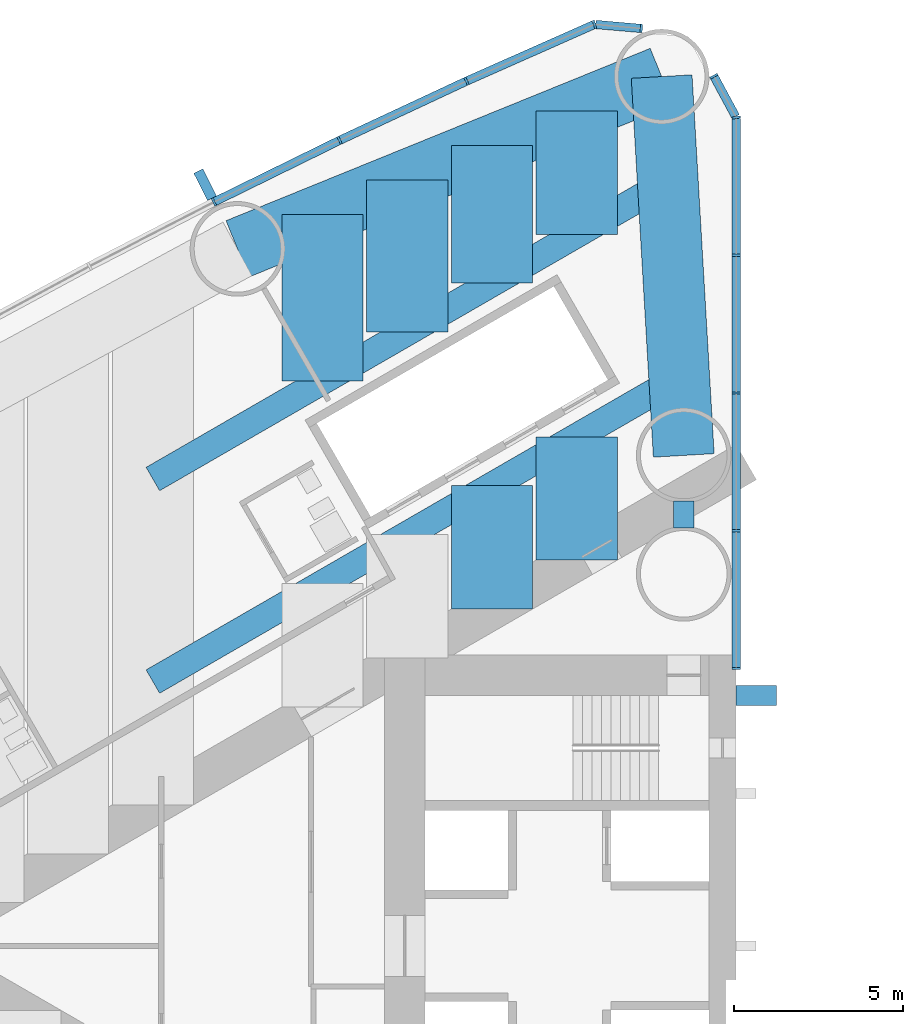
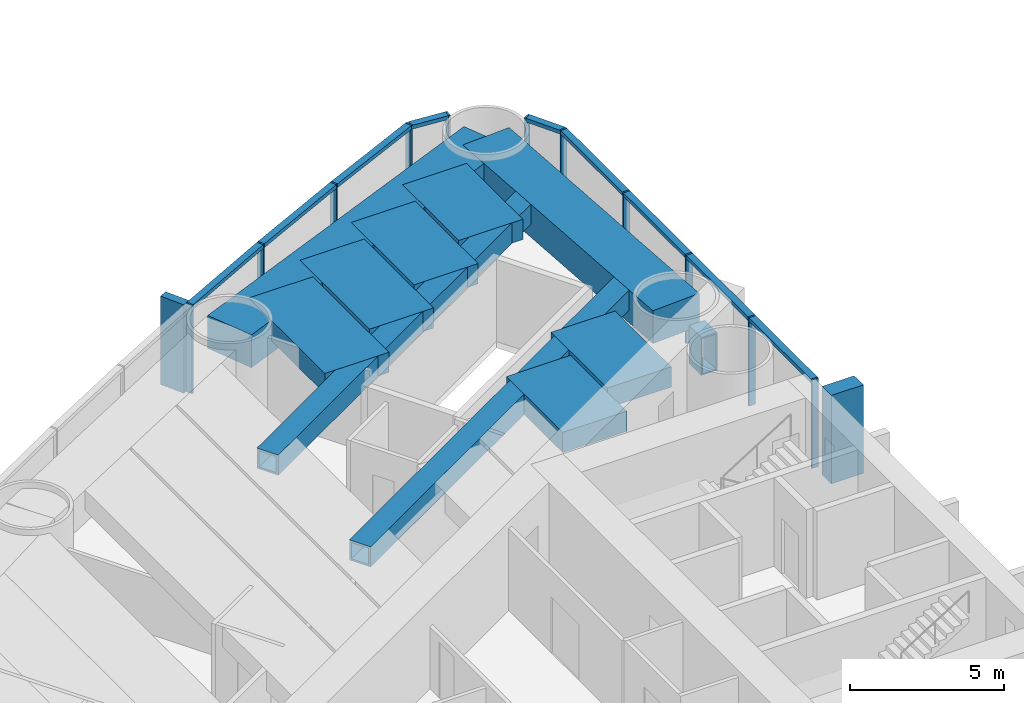
# One storey, part 5 of 19: 22 members, 11 beams, 2 elements without a shape of their own.
"""IFC4 building model written with IfcOpenShell, lengths in metres."""

from ifc_helpers import new_model, si_unit, direction, frame, origin, origin_2d, place, context, subcontext, project, spatial, rectangle, hollow_rectangle, extrude, material, material_profile, profile_set, type_object, element, aggregate, save


model = new_model("IFC4")

# Units and contexts
model_context = context("Model", 3, precision=1e-05, world=origin(), true_north=direction((0.0, 1.0)))
body_context = subcontext(model_context, "Body", "Model", "MODEL_VIEW")
ifc_project = project(units=[si_unit("LENGTHUNIT", "METRE"), si_unit("AREAUNIT", "SQUARE_METRE"), si_unit("VOLUMEUNIT", "CUBIC_METRE"), si_unit("PLANEANGLEUNIT", "RADIAN"), si_unit("MASSUNIT", "GRAM", prefix="KILO")], contexts=[model_context])

# Site, building, storey
site_placement = place(None, origin())
site = spatial("IfcSite", under=ifc_project, at=site_placement, CompositionType="ELEMENT")
building_placement = place(site_placement, origin())
building = spatial("IfcBuilding", under=site, at=building_placement, Name="Lancet Gate Hotel", CompositionType="ELEMENT")
storey_placement = place(building_placement, frame((0.0, 0.0, 63.5)))
storey = spatial("IfcBuildingStorey", under=building, at=storey_placement, Name="L16", CompositionType="ELEMENT", Elevation=63.5)

# Curtain wall, members
ifc_material_1 = material(Name="Aluminium curtain wall", Category="aluminium")
curtain_wall_type = type_object("IfcCurtainWallType", Name="Tower unitised curtain wall", PredefinedType="USERDEFINED", material=ifc_material_1)
curtain_wall_1_placement = place(storey_placement, origin())
curtain_wall_1 = element("IfcCurtainWall", 1, at=curtain_wall_1_placement, inside=storey, type_object=curtain_wall_type, Name="T1 L16 curtain wall 1", ObjectType="UNITISED CURTAIN WALL", PredefinedType="USERDEFINED")
ifc_material_2 = material(Name="Aluminium mullion", Category="aluminium")
ifc_material_profile_1 = material_profile(ifc_material_2, rectangle(XDim=0.06494140625, YDim=0.25, at=origin_2d()), Name="MULLION 65x250")
ifc_profile_set_1 = profile_set([ifc_material_profile_1], Name="Aluminium mullion")
member_type_1 = type_object("IfcMemberType", Name="Aluminium mullion 65x250", PredefinedType="MULLION", material=ifc_profile_set_1)
member_1_placement = place(storey_placement, frame((-27.5, 8.199951171875, 0.0), z_axis=(0.0, 0.0, 1.0), x_axis=(0.0, 1.0, 0.0)))
member_1 = element("IfcMember", 2, at=member_1_placement, type_object=member_type_1, Name="T1 L16 curtain wall 1 mullion 1", PredefinedType="MULLION", context=body_context, shape_type="SweptSolid", body=[
    extrude(rectangle(XDim=0.06494140625, YDim=0.25, at=origin_2d()), origin(), (0.0, 0.0, 1.0), 3.5),
])
member_2_placement = place(storey_placement, frame((-27.5, 12.272705078125, 0.0), z_axis=(0.0, 0.0, 1.0), x_axis=(0.0, 1.0, 0.0)))
member_2 = element("IfcMember", 3, at=member_2_placement, type_object=member_type_1, Name="T1 L16 curtain wall 1 mullion 2", PredefinedType="MULLION", context=body_context, shape_type="SweptSolid", body=[
    extrude(rectangle(XDim=0.06494140625, YDim=0.25, at=origin_2d()), origin(), (0.0, 0.0, 1.0), 3.5),
])
member_3_placement = place(storey_placement, frame((-27.5, 16.345703125, 0.0), z_axis=(0.0, 0.0, 1.0), x_axis=(0.0, 1.0, 0.0)))
member_3 = element("IfcMember", 4, at=member_3_placement, type_object=member_type_1, Name="T1 L16 curtain wall 1 mullion 3", PredefinedType="MULLION", context=body_context, shape_type="SweptSolid", body=[
    extrude(rectangle(XDim=0.06494140625, YDim=0.25, at=origin_2d()), origin(), (0.0, 0.0, 1.0), 3.5),
])
member_4_placement = place(storey_placement, frame((-27.5, 20.41845703125, 0.0), z_axis=(0.0, 0.0, 1.0), x_axis=(0.0, 1.0, 0.0)))
member_4 = element("IfcMember", 5, at=member_4_placement, type_object=member_type_1, Name="T1 L16 curtain wall 1 mullion 4", PredefinedType="MULLION", context=body_context, shape_type="SweptSolid", body=[
    extrude(rectangle(XDim=0.06494140625, YDim=0.25, at=origin_2d()), origin(), (0.0, 0.0, 1.0), 3.5),
])
member_5_placement = place(storey_placement, frame((-27.5, 24.4912109375, 0.0), z_axis=(0.0, 0.0, 1.0), x_axis=(-0.123482502544, 0.992346749662, 0.0)))
member_5 = element("IfcMember", 6, at=member_5_placement, type_object=member_type_1, Name="T1 L16 curtain wall 1 mullion 5", PredefinedType="MULLION", context=body_context, shape_type="SweptSolid", body=[
    extrude(rectangle(XDim=0.06494140625, YDim=0.25, at=origin_2d()), origin(), (0.0, 0.0, 1.0), 3.5),
])
member_6_placement = place(storey_placement, frame((-28.158935546875, 25.712890625, 0.0), z_axis=(0.0, 0.0, 1.0), x_axis=(-0.474631040972, 0.880184852714, 0.0)))
member_6 = element("IfcMember", 7, at=member_6_placement, type_object=member_type_1, Name="T1 L16 curtain wall 1 mullion 6", PredefinedType="MULLION", context=body_context, shape_type="SweptSolid", body=[
    extrude(rectangle(XDim=0.06494140625, YDim=0.25, at=origin_2d()), origin(), (0.0, 0.0, 1.0), 3.5),
])

curtain_wall_2_placement = place(storey_placement, origin())
curtain_wall_2 = element("IfcCurtainWall", 8, at=curtain_wall_2_placement, inside=storey, type_object=curtain_wall_type, Name="T1 L16 curtain wall 2", ObjectType="UNITISED CURTAIN WALL", PredefinedType="USERDEFINED")
member_7_placement = place(storey_placement, frame((-30.3046875, 27.124755859375, 0.0), z_axis=(0.0, 0.0, 1.0), x_axis=(-0.99620380374, 0.087051602022, 0.0)))
member_7 = element("IfcMember", 9, at=member_7_placement, type_object=member_type_1, Name="T1 L16 curtain wall 2 mullion 1", PredefinedType="MULLION", context=body_context, shape_type="SweptSolid", body=[
    extrude(rectangle(XDim=0.06494140625, YDim=0.25, at=origin_2d()), origin(), (0.0, 0.0, 1.0), 3.5),
])
member_8_placement = place(storey_placement, frame((-31.688720703125, 27.24560546875, 0.0), z_axis=(0.0, 0.0, 1.0), x_axis=(-0.957524354695, -0.288352406209, 0.0)))
member_8 = element("IfcMember", 10, at=member_8_placement, type_object=member_type_1, Name="T1 L16 curtain wall 2 mullion 2", PredefinedType="MULLION", context=body_context, shape_type="SweptSolid", body=[
    extrude(rectangle(XDim=0.06494140625, YDim=0.25, at=origin_2d()), origin(), (0.0, 0.0, 1.0), 3.5),
])
member_9_placement = place(storey_placement, frame((-35.473876953125, 25.568115234375, 0.0), z_axis=(0.0, 0.0, 1.0), x_axis=(-0.910219680212, -0.414125746308, 0.0)))
member_9 = element("IfcMember", 11, at=member_9_placement, type_object=member_type_1, Name="T1 L16 curtain wall 2 mullion 3", PredefinedType="MULLION", context=body_context, shape_type="SweptSolid", body=[
    extrude(rectangle(XDim=0.06494140625, YDim=0.25, at=origin_2d()), origin(), (0.0, 0.0, 1.0), 3.5),
])
member_10_placement = place(storey_placement, frame((-39.225341796875, 23.816650390625, 0.0), z_axis=(0.0, 0.0, 1.0), x_axis=(-0.901928838337, -0.431884672772, 0.0)))
member_10 = element("IfcMember", 12, at=member_10_placement, type_object=member_type_1, Name="T1 L16 curtain wall 2 mullion 4", PredefinedType="MULLION", context=body_context, shape_type="SweptSolid", body=[
    extrude(rectangle(XDim=0.06494140625, YDim=0.25, at=origin_2d()), origin(), (0.0, 0.0, 1.0), 3.5),
])
member_11_placement = place(storey_placement, frame((-42.94189453125, 21.991943359375, 0.0), z_axis=(0.0, 0.0, 1.0), x_axis=(-0.893291549794, -0.449477704748, 0.0)))
member_11 = element("IfcMember", 13, at=member_11_placement, type_object=member_type_1, Name="T1 L16 curtain wall 2 mullion 5", PredefinedType="MULLION", context=body_context, shape_type="SweptSolid", body=[
    extrude(rectangle(XDim=0.06494140625, YDim=0.25, at=origin_2d()), origin(), (0.0, 0.0, 1.0), 3.5),
])

# Member
ifc_material_3 = material(Name="Aluminium transom", Category="aluminium")
ifc_material_profile_2 = material_profile(ifc_material_3, rectangle(XDim=0.25, YDim=0.14990234375, at=origin_2d()), Name="TRANSOM 250x150")
ifc_profile_set_2 = profile_set([ifc_material_profile_2], Name="Aluminium transom")
member_type_2 = type_object("IfcMemberType", Name="Aluminium transom 250x150", PredefinedType="USERDEFINED", material=ifc_profile_set_2)
member_12_placement = place(storey_placement, frame((-27.5, 8.232421875, 3.425048828125), z_axis=(0.0, 1.0, 0.0), x_axis=(-1.0, 0.0, 0.0)))
member_12 = element("IfcMember", 14, at=member_12_placement, type_object=member_type_2, Name="T1 L16 curtain wall 1 transom 1", ObjectType="TRANSOM", PredefinedType="USERDEFINED", context=body_context, shape_type="SweptSolid", body=[
    extrude(rectangle(XDim=0.25, YDim=0.14990234375, at=origin_2d()), origin(), (0.0, 0.0, 1.0), 4.0078125),
])

member_13_placement = place(storey_placement, frame((-27.5, 12.30517578125, 3.425048828125), z_axis=(0.0, 1.0, 0.0), x_axis=(-1.0, 0.0, 0.0)))
member_13 = element("IfcMember", 15, at=member_13_placement, type_object=member_type_2, Name="T1 L16 curtain wall 1 transom 2", ObjectType="TRANSOM", PredefinedType="USERDEFINED", context=body_context, shape_type="SweptSolid", body=[
    extrude(rectangle(XDim=0.25, YDim=0.14990234375, at=origin_2d()), origin(), (0.0, 0.0, 1.0), 4.0078125),
])

member_14_placement = place(storey_placement, frame((-27.5, 16.378173828125, 3.425048828125), z_axis=(0.0, 1.0, 0.0), x_axis=(-1.0, 0.0, 0.0)))
member_14 = element("IfcMember", 16, at=member_14_placement, type_object=member_type_2, Name="T1 L16 curtain wall 1 transom 3", ObjectType="TRANSOM", PredefinedType="USERDEFINED", context=body_context, shape_type="SweptSolid", body=[
    extrude(rectangle(XDim=0.25, YDim=0.14990234375, at=origin_2d()), origin(), (0.0, 0.0, 1.0), 4.0078125),
])

member_15_placement = place(storey_placement, frame((-27.5, 20.450927734375, 3.425048828125), z_axis=(0.0, 1.0, 0.0), x_axis=(-1.0, 0.0, 0.0)))
member_15 = element("IfcMember", 17, at=member_15_placement, type_object=member_type_2, Name="T1 L16 curtain wall 1 transom 4", ObjectType="TRANSOM", PredefinedType="USERDEFINED", context=body_context, shape_type="SweptSolid", body=[
    extrude(rectangle(XDim=0.25, YDim=0.14990234375, at=origin_2d()), origin(), (0.0, 0.0, 1.0), 4.0078125),
])

member_16_placement = place(storey_placement, frame((-27.515380859375, 24.519775390625, 3.425048828125), z_axis=(-0.474605926905, 0.880198394765, 0.0), x_axis=(-0.880198394765, -0.474605926905, 0.0)))
member_16 = element("IfcMember", 18, at=member_16_placement, type_object=member_type_2, Name="T1 L16 curtain wall 1 transom 5", ObjectType="TRANSOM", PredefinedType="USERDEFINED", context=body_context, shape_type="SweptSolid", body=[
    extrude(rectangle(XDim=0.25, YDim=0.14990234375, at=origin_2d()), origin(), (0.0, 0.0, 1.0), 1.322998046875),
])

aggregate(curtain_wall_1, [member_1, member_2, member_3, member_4, member_5, member_6, member_12, member_13, member_14, member_15, member_16])

member_17_placement = place(storey_placement, frame((-30.337158203125, 27.127685546875, 3.425048828125), z_axis=(-0.99620591587, 0.087027427779, 0.0), x_axis=(-0.087027427779, -0.99620591587, 0.0)))
member_17 = element("IfcMember", 19, at=member_17_placement, type_object=member_type_2, Name="T1 L16 curtain wall 2 transom 1", ObjectType="TRANSOM", PredefinedType="USERDEFINED", context=body_context, shape_type="SweptSolid", body=[
    extrude(rectangle(XDim=0.25, YDim=0.14990234375, at=origin_2d()), origin(), (0.0, 0.0, 1.0), 1.32421875),
])

member_18_placement = place(storey_placement, frame((-31.71826171875, 27.232421875, 3.425048828125), z_axis=(-0.914248281954, -0.405154389022, 0.0), x_axis=(0.405154389022, -0.914248281954, 0.0)))
member_18 = element("IfcMember", 20, at=member_18_placement, type_object=member_type_2, Name="T1 L16 curtain wall 2 transom 2", ObjectType="TRANSOM", PredefinedType="USERDEFINED", context=body_context, shape_type="SweptSolid", body=[
    extrude(rectangle(XDim=0.25, YDim=0.14990234375, at=origin_2d()), origin(), (0.0, 0.0, 1.0), 4.0751953125),
])

member_19_placement = place(storey_placement, frame((-35.503173828125, 25.554443359375, 3.425048828125), z_axis=(-0.906109667261, -0.423042871228, 0.0), x_axis=(0.423042871228, -0.906109667261, 0.0)))
member_19 = element("IfcMember", 21, at=member_19_placement, type_object=member_type_2, Name="T1 L16 curtain wall 2 transom 3", ObjectType="TRANSOM", PredefinedType="USERDEFINED", context=body_context, shape_type="SweptSolid", body=[
    extrude(rectangle(XDim=0.25, YDim=0.14990234375, at=origin_2d()), origin(), (0.0, 0.0, 1.0), 4.075439453125),
])

member_20_placement = place(storey_placement, frame((-39.254638671875, 23.80224609375, 3.425048828125), z_axis=(-0.897662439958, -0.440683723194, 0.0), x_axis=(0.440683723194, -0.897662439958, 0.0)))
member_20 = element("IfcMember", 22, at=member_20_placement, type_object=member_type_2, Name="T1 L16 curtain wall 2 transom 4", ObjectType="TRANSOM", PredefinedType="USERDEFINED", context=body_context, shape_type="SweptSolid", body=[
    extrude(rectangle(XDim=0.25, YDim=0.14990234375, at=origin_2d()), origin(), (0.0, 0.0, 1.0), 4.0751953125),
])

# Beams
ifc_material_4 = material(Name="Concrete C50/60", Category="concrete")
ifc_material_profile_3 = material_profile(ifc_material_4, rectangle(XDim=1.800048828125, YDim=1.300048828125, at=origin_2d()), Name="RC 1800x1300")
ifc_profile_set_3 = profile_set([ifc_material_profile_3], Name="Concrete C50/60")
beam_type_1 = type_object("IfcBeamType", Name="Edge beam RC 1800x1300", PredefinedType="SPANDREL", material=ifc_profile_set_3)
beam_1_placement = place(storey_placement, frame((-29.703369140625, 25.70263671875, 2.60009765625), z_axis=(-0.926463236197, -0.376385270667, 0.0), x_axis=(0.376385270667, -0.926463236197, 0.0)))
element("IfcBeam", 23, at=beam_1_placement, inside=storey, type_object=beam_type_1, Name="T1 edge beam EB1 L16", PredefinedType="SPANDREL", context=body_context, shape_type="SweptSolid", body=[
    extrude(rectangle(XDim=1.800048828125, YDim=1.300048828125, at=origin_2d()), origin(), (0.0, 0.0, 1.0), 13.537353515625),
])
beam_2_placement = place(storey_placement, frame((-29.703369140625, 25.70263671875, 2.60009765625), z_axis=(0.058219521912, -0.998303805096, 0.0), x_axis=(0.998303805096, 0.058219521912, 0.0)))
element("IfcBeam", 24, at=beam_2_placement, inside=storey, type_object=beam_type_1, Name="T1 edge beam EB1 L16", PredefinedType="SPANDREL", context=body_context, shape_type="SweptSolid", body=[
    extrude(rectangle(XDim=1.800048828125, YDim=1.300048828125, at=origin_2d()), origin(), (0.0, 0.0, 1.0), 11.2216796875),
])

# Member
ifc_material_5 = material(Name="Concrete C60/75", Category="concrete")
ifc_material_profile_4 = material_profile(ifc_material_5, rectangle(XDim=0.60009765625, YDim=1.199951171875, at=origin_2d()), Name="FIN 600x1200")
ifc_profile_set_4 = profile_set([ifc_material_profile_4], Name="Concrete C60/75")
member_type_3 = type_object("IfcMemberType", Name="Exposed concrete buttress pilaster 600x1200", PredefinedType="USERDEFINED", material=ifc_profile_set_4)
member_21_placement = place(storey_placement, frame((-26.909912109375, 7.39990234375, 0.0), z_axis=(0.0, 0.0, 1.0), x_axis=(0.0, 1.0, 0.0)))
element("IfcMember", 25, at=member_21_placement, inside=storey, type_object=member_type_3, Name="T1 buttress pilaster S L16", ObjectType="FIN", PredefinedType="USERDEFINED", context=body_context, shape_type="SweptSolid", body=[
    extrude(rectangle(XDim=0.60009765625, YDim=1.199951171875, at=origin_2d()), origin(), (0.0, 0.0, 1.0), 3.5),
])

ifc_material_6 = material(Name="Precast concrete C50/60", Category="concrete")
ifc_material_profile_5 = material_profile(ifc_material_6, rectangle(XDim=0.300048828125, YDim=0.89990234375, at=origin_2d()), Name="FIN 300x900")
ifc_profile_set_5 = profile_set([ifc_material_profile_5], Name="Precast concrete C50/60")
member_type_4 = type_object("IfcMemberType", Name="Exposed concrete fin 300x900", PredefinedType="USERDEFINED", material=ifc_profile_set_5)
member_22_placement = place(storey_placement, frame((-43.200439453125, 22.505615234375, 0.0), z_axis=(0.0, 0.0, 1.0), x_axis=(-0.893291549794, -0.449477704748, 0.0)))
member_22 = element("IfcMember", 26, at=member_22_placement, type_object=member_type_4, Name="T1 L16 curtain wall 2 fin 5", ObjectType="FIN", PredefinedType="USERDEFINED", context=body_context, shape_type="SweptSolid", body=[
    extrude(rectangle(XDim=0.300048828125, YDim=0.89990234375, at=origin_2d()), origin(), (0.0, 0.0, 1.0), 3.5),
])

aggregate(curtain_wall_2, [member_7, member_8, member_9, member_10, member_11, member_22, member_17, member_18, member_19, member_20])

# Beams
ifc_material_7 = material(Name="Concrete C50/60", Category="concrete")
ifc_material_profile_6 = material_profile(ifc_material_7, rectangle(XDim=2.39990234375, YDim=0.800048828125, at=origin_2d()), Name="RC 2400x800")
ifc_profile_set_6 = profile_set([ifc_material_profile_6], Name="Concrete C50/60")
beam_type_2 = type_object("IfcBeamType", Name="Floor beam RC 2400x800", PredefinedType="BEAM", material=ifc_profile_set_6)
beam_3_placement = place(storey_placement, frame((-32.213623046875, 24.682861328125, 2.85009765625), z_axis=(0.0, -1.0, 0.0), x_axis=(1.0, 0.0, 0.0)))
element("IfcBeam", 27, at=beam_3_placement, inside=storey, type_object=beam_type_2, Name="T1 floor beam F02SA L16", PredefinedType="BEAM", context=body_context, shape_type="SweptSolid", body=[
    extrude(rectangle(XDim=2.39990234375, YDim=0.800048828125, at=origin_2d()), origin(), (0.0, 0.0, 1.0), 3.643798828125),
])
beam_4_placement = place(storey_placement, frame((-32.213623046875, 15.051025390625, 2.85009765625), z_axis=(0.0, -1.0, 0.0), x_axis=(1.0, 0.0, 0.0)))
element("IfcBeam", 28, at=beam_4_placement, inside=storey, type_object=beam_type_2, Name="T1 floor beam F02SB L16", PredefinedType="BEAM", context=body_context, shape_type="SweptSolid", body=[
    extrude(rectangle(XDim=2.39990234375, YDim=0.800048828125, at=origin_2d()), origin(), (0.0, 0.0, 1.0), 3.645751953125),
])
beam_5_placement = place(storey_placement, frame((-34.720458984375, 23.664306640625, 2.85009765625), z_axis=(0.0, -1.0, 0.0), x_axis=(1.0, 0.0, 0.0)))
element("IfcBeam", 29, at=beam_5_placement, inside=storey, type_object=beam_type_2, Name="T1 floor beam F04SA L16", PredefinedType="BEAM", context=body_context, shape_type="SweptSolid", body=[
    extrude(rectangle(XDim=2.39990234375, YDim=0.800048828125, at=origin_2d()), origin(), (0.0, 0.0, 1.0), 4.07275390625),
])
beam_6_placement = place(storey_placement, frame((-34.720458984375, 13.603759765625, 2.85009765625), z_axis=(0.0, -1.0, 0.0), x_axis=(1.0, 0.0, 0.0)))
element("IfcBeam", 30, at=beam_6_placement, inside=storey, type_object=beam_type_2, Name="T1 floor beam F04SB L16", PredefinedType="BEAM", context=body_context, shape_type="SweptSolid", body=[
    extrude(rectangle(XDim=2.39990234375, YDim=0.800048828125, at=origin_2d()), origin(), (0.0, 0.0, 1.0), 3.645751953125),
])
beam_7_placement = place(storey_placement, frame((-37.227294921875, 22.64599609375, 2.85009765625), z_axis=(0.0, -1.0, 0.0), x_axis=(1.0, 0.0, 0.0)))
element("IfcBeam", 31, at=beam_7_placement, inside=storey, type_object=beam_type_2, Name="T1 floor beam F05SA L16", PredefinedType="BEAM", context=body_context, shape_type="SweptSolid", body=[
    extrude(rectangle(XDim=2.39990234375, YDim=0.800048828125, at=origin_2d()), origin(), (0.0, 0.0, 1.0), 4.501953125),
])
beam_8_placement = place(storey_placement, frame((-39.734130859375, 21.627685546875, 2.85009765625), z_axis=(0.0, -1.0, 0.0), x_axis=(1.0, 0.0, 0.0)))
element("IfcBeam", 32, at=beam_8_placement, inside=storey, type_object=beam_type_2, Name="T1 floor beam F07SA L16", PredefinedType="BEAM", context=body_context, shape_type="SweptSolid", body=[
    extrude(rectangle(XDim=2.39990234375, YDim=0.800048828125, at=origin_2d()), origin(), (0.0, 0.0, 1.0), 4.93115234375),
])
ifc_material_8 = material(Name="Steel S460QL", Category="steel")
ifc_material_profile_7 = material_profile(ifc_material_8, hollow_rectangle(XDim=0.60009765625, YDim=1.5, WallThickness=0.050048828125, at=origin_2d()), Name="BOX 1500x600x50")
ifc_profile_set_7 = profile_set([ifc_material_profile_7], Name="Steel S460QL")
beam_type_3 = type_object("IfcBeamType", Name="Inner-face link beam BOX 1500x600x50", PredefinedType="BEAM", material=ifc_profile_set_7)
beam_9_placement = place(storey_placement, frame((-29.050048828125, 13.14990234375, 2.5), z_axis=(0.0, -1.0, 0.0), x_axis=(1.0, 0.0, 0.0)))
element("IfcBeam", 33, at=beam_9_placement, inside=storey, type_object=beam_type_3, Name="T1 inner-face link beam LK1 L16", PredefinedType="BEAM", context=body_context, shape_type="SweptSolid", body=[
    extrude(hollow_rectangle(XDim=0.60009765625, YDim=1.5, WallThickness=0.050048828125, at=origin_2d()), origin(), (0.0, 0.0, 1.0), 0.7998046875),
])
ifc_material_9 = material(Name="Steel S460QL", Category="steel")
ifc_material_profile_8 = material_profile(ifc_material_9, hollow_rectangle(XDim=0.800048828125, YDim=0.800048828125, WallThickness=0.080078125, at=origin_2d()), Name="BOX 800x800x80")
ifc_profile_set_8 = profile_set([ifc_material_profile_8], Name="Steel S460QL")
beam_type_4 = type_object("IfcBeamType", Name="Trimmer beam BOX 800x800x80", PredefinedType="BEAM", material=ifc_profile_set_8)
beam_10_placement = place(storey_placement, frame((-29.18408203125, 16.800537109375, 2.85009765625), z_axis=(-0.865998945969, -0.500045823481, 0.0), x_axis=(0.500045823481, -0.865998945969, 0.0)))
element("IfcBeam", 34, at=beam_10_placement, inside=storey, type_object=beam_type_4, Name="T1 trimmer beam TR01S L16", PredefinedType="BEAM", context=body_context, shape_type="SweptSolid", body=[
    extrude(hollow_rectangle(XDim=0.800048828125, YDim=0.800048828125, WallThickness=0.080078125, at=origin_2d()), origin(), (0.0, 0.0, 1.0), 17.971923828125),
])
beam_11_placement = place(storey_placement, frame((-29.52197265625, 22.59326171875, 2.85009765625), z_axis=(-0.866004054636, -0.500036975987, 0.0), x_axis=(0.500036975987, -0.866004054636, 0.0)))
element("IfcBeam", 35, at=beam_11_placement, inside=storey, type_object=beam_type_4, Name="T1 trimmer beam TR02S L16", PredefinedType="BEAM", context=body_context, shape_type="SweptSolid", body=[
    extrude(hollow_rectangle(XDim=0.800048828125, YDim=0.800048828125, WallThickness=0.080078125, at=origin_2d()), origin(), (0.0, 0.0, 1.0), 17.581787109375),
])

save(model, "model.ifc")
